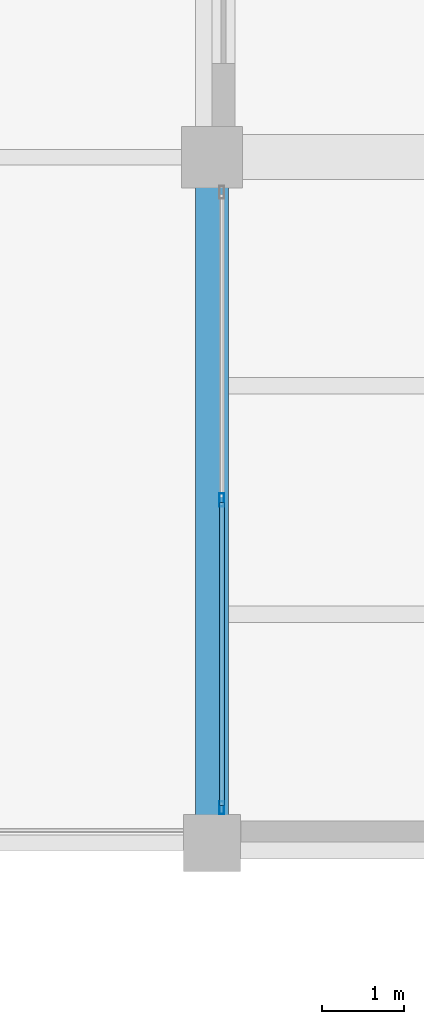
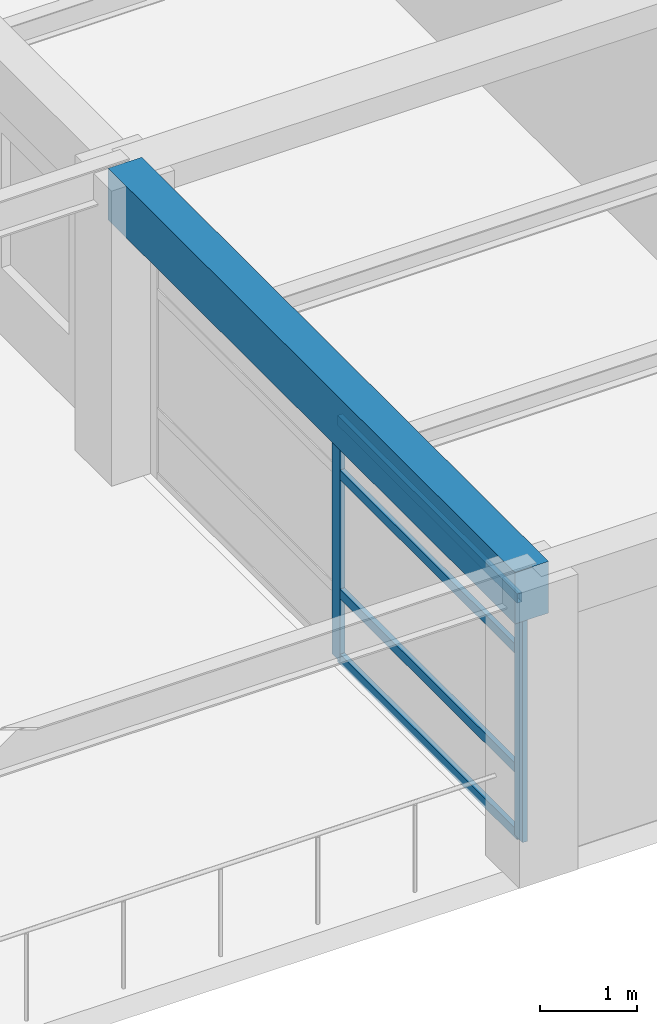
# One storey, part 5 of 35: 6 members, 1 beam, 1 element without a shape of its own.
"""IFC4 building model written with IfcOpenShell, lengths in metres."""

from ifc_helpers import new_model, si_unit, direction, frame, origin, origin_2d, place, context, subcontext, project, spatial, rectangle, hollow_rectangle, extrude, material, material_profile, profile_set, type_object, element, aggregate, save


model = new_model("IFC4")

# Units and contexts
model_context = context("Model", 3, precision=1e-05, world=origin(), true_north=direction((0.0, 1.0)))
body_context = subcontext(model_context, "Body", "Model", "MODEL_VIEW")
ifc_project = project(units=[si_unit("LENGTHUNIT", "METRE"), si_unit("AREAUNIT", "SQUARE_METRE"), si_unit("VOLUMEUNIT", "CUBIC_METRE"), si_unit("PLANEANGLEUNIT", "RADIAN"), si_unit("MASSUNIT", "GRAM", prefix="KILO")], contexts=[model_context])

# Site, building, storey
site_placement = place(None, origin())
site = spatial("IfcSite", under=ifc_project, at=site_placement, CompositionType="ELEMENT")
building_placement = place(site_placement, origin())
building = spatial("IfcBuilding", under=site, at=building_placement, Name="Almacenes y Pasaje Nevantli", CompositionType="ELEMENT")
storey_placement = place(building_placement, frame((0.0, 0.0, 26.699951171875)))
storey = spatial("IfcBuildingStorey", under=building, at=storey_placement, Name="L06", CompositionType="ELEMENT", Elevation=26.699951171875)

# Beam
ifc_material_1 = material(Name="Concrete C35/45", Category="concrete")
ifc_material_profile_1 = material_profile(ifc_material_1, rectangle(XDim=0.39990234375, YDim=0.64990234375, at=origin_2d()), Name="RC-BM-400x650")
ifc_profile_set_1 = profile_set([ifc_material_profile_1], Name="Concrete C35/45")
beam_type = type_object("IfcBeamType", Name="BM-RC-400x650", PredefinedType="SPANDREL", material=ifc_profile_set_1)
beam_placement = place(storey_placement, frame((109.199951171875, 67.199951171875, 3.39501953125), z_axis=(0.0, 1.0, 0.0), x_axis=(-1.0, 0.0, 0.0)))
element("IfcBeam", 1, at=beam_placement, inside=storey, type_object=beam_type, Name="L06 North-South Reinforced Concrete Beam #3603", PredefinedType="SPANDREL", context=body_context, shape_type="SweptSolid", body=[
    extrude(rectangle(XDim=0.39990234375, YDim=0.64990234375, at=origin_2d()), origin(), (0.0, 0.0, 1.0), 8.400146484375),
])

# Curtain wall, members
ifc_material_2 = material(Name="Thermally Broken Aluminium and Low-E Glass", Category="aluminium")
curtain_wall_type = type_object("IfcCurtainWallType", Name="CW-UNIT-TOWER", PredefinedType="USERDEFINED", material=ifc_material_2)
curtain_wall_placement = place(storey_placement, origin())
curtain_wall = element("IfcCurtainWall", 2, at=curtain_wall_placement, inside=storey, type_object=curtain_wall_type, Name="L06 Tower West Curtain Wall Bay 9", ObjectType="UNITIZED CURTAIN WALL", PredefinedType="USERDEFINED")
ifc_material_3 = material(Name="Thermally Broken Anodized Aluminium", Category="aluminium")
ifc_material_profile_2 = material_profile(ifc_material_3, hollow_rectangle(XDim=0.06005859375, YDim=0.159912109375, WallThickness=0.00390625, at=origin_2d()), Name="ALU-MUL-60x160")
ifc_profile_set_2 = profile_set([ifc_material_profile_2], Name="Thermally Broken Anodized Aluminium")
member_type_1 = type_object("IfcMemberType", Name="CW-MUL-180", PredefinedType="MULLION", material=ifc_profile_set_2)
member_1_placement = place(storey_placement, frame((109.320068359375, 67.6298828125, 0.0), z_axis=(0.0, 0.0, 1.0), x_axis=(-1.0, 0.0, 0.0)))
member_1 = element("IfcMember", 3, at=member_1_placement, type_object=member_type_1, Name="CW-L06-108 mullion 1", PredefinedType="MULLION", context=body_context, shape_type="SweptSolid", body=[
    extrude(hollow_rectangle(XDim=0.06005859375, YDim=0.159912109375, WallThickness=0.00390625, at=origin_2d()), origin(), (0.0, 0.0, 1.0), 3.0400390625),
])
member_2_placement = place(storey_placement, frame((109.320068359375, 71.39990234375, 0.0), z_axis=(0.0, 0.0, 1.0), x_axis=(-1.0, 0.0, 0.0)))
member_2 = element("IfcMember", 4, at=member_2_placement, type_object=member_type_1, Name="CW-L06-108 mullion 2", PredefinedType="MULLION", context=body_context, shape_type="SweptSolid", body=[
    extrude(hollow_rectangle(XDim=0.06005859375, YDim=0.159912109375, WallThickness=0.00390625, at=origin_2d()), origin(), (0.0, 0.0, 1.0), 3.0400390625),
])
ifc_material_4 = material(Name="Thermally Broken Anodized Aluminium", Category="aluminium")
ifc_material_profile_3 = material_profile(ifc_material_4, hollow_rectangle(XDim=0.06005859375, YDim=0.1201171875, WallThickness=0.00341796875, at=origin_2d()), Name="ALU-TRN-60x120")
ifc_profile_set_3 = profile_set([ifc_material_profile_3], Name="Thermally Broken Anodized Aluminium")
member_type_2 = type_object("IfcMemberType", Name="CW-TRN-130", PredefinedType="USERDEFINED", material=ifc_profile_set_3)
member_3_placement = place(storey_placement, frame((109.320068359375, 67.659912109375, 0.030029296875), z_axis=(0.0, 1.0, 0.0), x_axis=(-1.0, 0.0, 0.0)))
member_3 = element("IfcMember", 5, at=member_3_placement, type_object=member_type_2, Name="CW-L06-108 transom 1.1", ObjectType="TRANSOM", PredefinedType="USERDEFINED", context=body_context, shape_type="SweptSolid", body=[
    extrude(hollow_rectangle(XDim=0.06005859375, YDim=0.1201171875, WallThickness=0.00341796875, at=origin_2d()), origin(), (0.0, 0.0, 1.0), 3.710205078125),
])
member_4_placement = place(storey_placement, frame((109.320068359375, 67.659912109375, 0.85009765625), z_axis=(0.0, 1.0, 0.0), x_axis=(-1.0, 0.0, 0.0)))
member_4 = element("IfcMember", 6, at=member_4_placement, type_object=member_type_2, Name="CW-L06-108 transom 1.2", ObjectType="TRANSOM", PredefinedType="USERDEFINED", context=body_context, shape_type="SweptSolid", body=[
    extrude(hollow_rectangle(XDim=0.06005859375, YDim=0.1201171875, WallThickness=0.00341796875, at=origin_2d()), origin(), (0.0, 0.0, 1.0), 3.710205078125),
])
member_5_placement = place(storey_placement, frame((109.320068359375, 67.659912109375, 2.35009765625), z_axis=(0.0, 1.0, 0.0), x_axis=(-1.0, 0.0, 0.0)))
member_5 = element("IfcMember", 7, at=member_5_placement, type_object=member_type_2, Name="CW-L06-108 transom 1.3", ObjectType="TRANSOM", PredefinedType="USERDEFINED", context=body_context, shape_type="SweptSolid", body=[
    extrude(hollow_rectangle(XDim=0.06005859375, YDim=0.1201171875, WallThickness=0.00341796875, at=origin_2d()), origin(), (0.0, 0.0, 1.0), 3.710205078125),
])
member_6_placement = place(storey_placement, frame((109.320068359375, 67.659912109375, 3.010009765625), z_axis=(0.0, 1.0, 0.0), x_axis=(-1.0, 0.0, 0.0)))
member_6 = element("IfcMember", 8, at=member_6_placement, type_object=member_type_2, Name="CW-L06-108 transom 1.4", ObjectType="TRANSOM", PredefinedType="USERDEFINED", context=body_context, shape_type="SweptSolid", body=[
    extrude(hollow_rectangle(XDim=0.06005859375, YDim=0.1201171875, WallThickness=0.00341796875, at=origin_2d()), origin(), (0.0, 0.0, 1.0), 3.710205078125),
])
aggregate(curtain_wall, [member_1, member_2, member_3, member_4, member_5, member_6])

save(model, "model.ifc")
